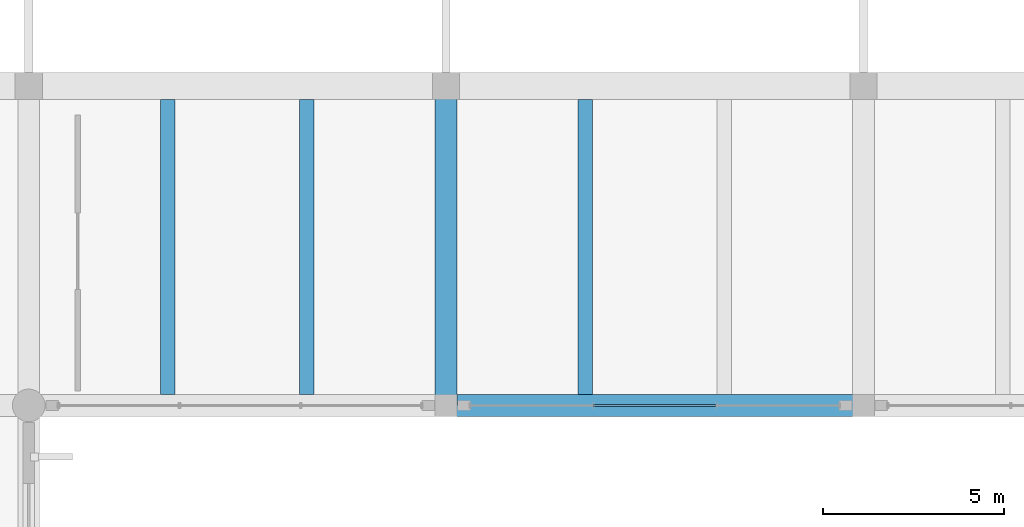
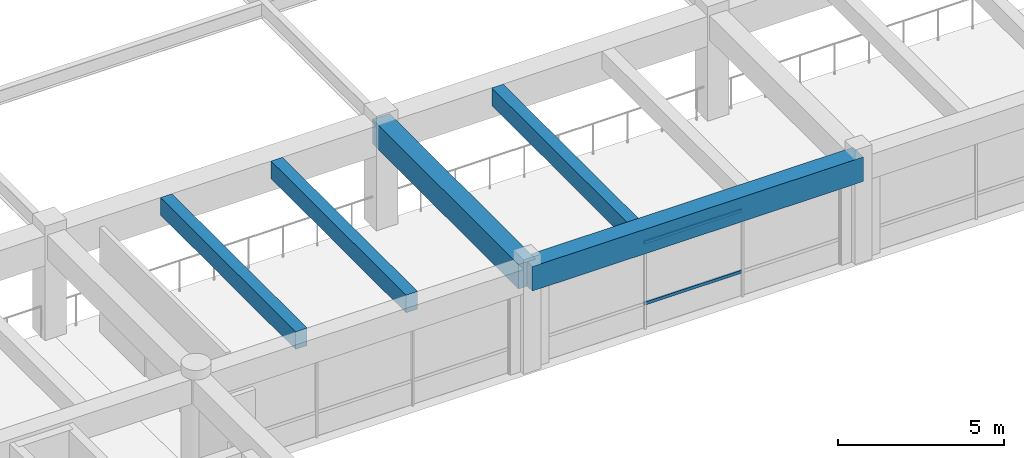
# One storey, part 46 of 98: 5 beams, 2 members, 1 element without a shape of its own.
"""IFC4 building model written with IfcOpenShell, lengths in metres."""

import ifcopenshell
import ifcopenshell.guid

model = None  # the IFC model being written
_history = None  # IfcOwnerHistory: only IFC2X3 demands one
_inside = {}  # id of a spatial element -> (the spatial element, [elements in it])
_under = {}  # id of a project, library or spatial element -> (it, [spatial elements below it])
_declared = {}  # id of a project -> (the project, [libraries it declares])
_typed = {}  # id of a type object -> (the type object, [elements of that type])
_made_of = {}  # id of a material, layer set ... -> (it, [elements and type objects made of it])


def new_model(schema):
    """Start an empty IFC model of exactly this schema.

    Asked for "IFC4X3", IfcOpenShell would pick the latest addendum, in which some entities
    have other attributes; the version numbers below select the first issue.
    IFC2X3 requires an IfcOwnerHistory on every rooted entity: one is made here for all.
    """
    global model, _history
    if schema == "IFC4X3":
        model = ifcopenshell.file(schema_version=(4, 3, 0, 0))
    else:
        model = ifcopenshell.file(schema=schema)
    _inside.clear()
    _under.clear()
    _declared.clear()
    _typed.clear()
    _made_of.clear()
    _history = None
    if model.schema == "IFC2X3":
        org = make("IfcOrganization", Name="unknown")
        user = make(
            "IfcPersonAndOrganization",
            ThePerson=make("IfcPerson", FamilyName="unknown"),
            TheOrganization=org,
        )
        app = make(
            "IfcApplication",
            ApplicationDeveloper=org,
            Version="unknown",
            ApplicationFullName="unknown",
            ApplicationIdentifier="unknown",
        )
        _history = make(
            "IfcOwnerHistory",
            OwningUser=user,
            OwningApplication=app,
            ChangeAction="ADDED",
            CreationDate=0,
        )
    return model


def make(cls, **values):
    """One entity of the class cls with the attributes given. An attribute that is None is left unset."""
    return model.create_entity(
        cls, **{name: value for name, value in values.items() if value is not None}
    )


def rooted(cls, **values):
    """An entity with a GlobalId (a new one), such as an element, a storey or a relation."""
    return make(cls, GlobalId=ifcopenshell.guid.new(), OwnerHistory=_history, **values)


def si_unit(unit_type, name, prefix=None):
    """IfcSIUnit, for example si_unit("LENGTHUNIT", "METRE", prefix="MILLI")."""
    return make("IfcSIUnit", UnitType=unit_type, Prefix=prefix, Name=name)


def assignment(units):
    """IfcUnitAssignment: the units of a project."""
    return None if units is None else make("IfcUnitAssignment", Units=units)


def point(xyz):
    """IfcCartesianPoint."""
    return None if xyz is None else make("IfcCartesianPoint", Coordinates=xyz)


def direction(xyz):
    """IfcDirection."""
    return None if xyz is None else make("IfcDirection", DirectionRatios=xyz)


def frame(location, z_axis=None, x_axis=None):
    """IfcAxis2Placement3D, a coordinate frame: its origin and axes. An axis left out is left unset."""
    return make(
        "IfcAxis2Placement3D",
        Location=point(location),
        Axis=direction(z_axis),
        RefDirection=direction(x_axis),
    )


def frame_2d(location, x_axis=None):
    """IfcAxis2Placement2D, a coordinate frame in the plane: its origin and x axis."""
    return make(
        "IfcAxis2Placement2D", Location=point(location), RefDirection=direction(x_axis)
    )


def origin():
    """The frame at (0, 0, 0) with its axes left unset."""
    return frame((0.0, 0.0, 0.0))


def origin_2d():
    """The frame at (0, 0) in the plane with its x axis left unset."""
    return frame_2d((0.0, 0.0))


def place(relative_to, where):
    """IfcLocalPlacement: puts the frame where relative to a parent placement (None: the world)."""
    return make(
        "IfcLocalPlacement", PlacementRelTo=relative_to, RelativePlacement=where
    )


def context(
    kind, dimensions, precision=None, world=None, true_north=None, identifier=None
):
    """IfcGeometricRepresentationContext, for example the 3D "Model" context."""
    return make(
        "IfcGeometricRepresentationContext",
        ContextIdentifier=identifier,
        ContextType=kind,
        CoordinateSpaceDimension=dimensions,
        Precision=precision,
        WorldCoordinateSystem=world,
        TrueNorth=true_north,
    )


def subcontext(parent, identifier, kind, view, scale=None):
    """IfcGeometricRepresentationSubContext, for example "Body" below "Model"."""
    return make(
        "IfcGeometricRepresentationSubContext",
        ContextIdentifier=identifier,
        ContextType=kind,
        ParentContext=parent,
        TargetScale=scale,
        TargetView=view,
    )


def project(units=None, contexts=None):
    """IfcProject with its units and contexts."""
    return rooted(
        "IfcProject",
        Name="project",
        RepresentationContexts=contexts,
        UnitsInContext=assignment(units),
    )


def spatial(cls, under=None, at=None, **own):
    """A site, building, storey or space (cls), placed at a placement, below another one or the project."""
    s = rooted(cls, ObjectPlacement=at, **own)
    if under is not None:
        _under.setdefault(under.id(), (under, []))[1].append(s)
    return s


def profile(cls, at=None, kind="AREA", **sizes):
    """A parametric profile (cls). Its sizes go by their IFC names, for example OverallWidth=200.0."""
    return make(cls, ProfileType=kind, Position=at, **sizes)


def rectangle(**sizes):
    """IfcRectangleProfileDef."""
    return profile("IfcRectangleProfileDef", **sizes)


def hollow_rectangle(**sizes):
    """IfcRectangleHollowProfileDef."""
    return profile("IfcRectangleHollowProfileDef", **sizes)


def extrude(swept, where, along, depth):
    """IfcExtrudedAreaSolid: the profile swept, set in the frame where, extruded along a direction by depth."""
    return make(
        "IfcExtrudedAreaSolid",
        SweptArea=swept,
        Position=where,
        ExtrudedDirection=direction(along),
        Depth=depth,
    )


def shape(context_of_items, identifier, shape_type, items):
    """IfcShapeRepresentation: the items that make up one representation, for example the "Body"."""
    return make(
        "IfcShapeRepresentation",
        ContextOfItems=context_of_items,
        RepresentationIdentifier=identifier,
        RepresentationType=shape_type,
        Items=items,
    )


def material(Name=None, Category=None):
    """IfcMaterial."""
    return make("IfcMaterial", Name=Name, Category=Category)


def material_profile(
    of_material, cross_section, Name=None, Category=None, Priority=None
):
    """IfcMaterialProfile: a cross section and its material."""
    return make(
        "IfcMaterialProfile",
        Name=Name,
        Material=of_material,
        Profile=cross_section,
        Priority=Priority,
        Category=Category,
    )


def profile_set(profiles, Name=None, composite=None):
    """IfcMaterialProfileSet."""
    return make(
        "IfcMaterialProfileSet",
        Name=Name,
        MaterialProfiles=profiles,
        CompositeProfile=composite,
    )


def made_of(thing, what):
    """Note that an element or type object is made of a material, layer set ...; save() writes the relation."""
    if what is not None:
        _made_of.setdefault(what.id(), (what, []))[1].append(thing)
    return thing


def type_object(cls, material=None, **own):
    """A type object (cls), such as IfcWallType, which elements share."""
    return made_of(rooted(cls, **own), material)


def element(
    cls,
    number,
    at=None,
    inside=None,
    cuts=None,
    type_object=None,
    material=None,
    context=None,
    identifier="Body",
    shape_type=None,
    held_by="IfcProductDefinitionShape",
    body=None,
    shapes=None,
    **own,
):
    """One element of the class cls, such as IfcWall. Its Tag is "e" and its number.

    at: its placement. inside: the storey or other place that contains it. cuts: it is an
    opening in that element (IfcRelVoidsElement). A single representation is given by context,
    identifier, shape_type and body (its items); several are given by shapes. held_by: the class
    of the entity that holds the representations. save() writes the other relations.
    """
    e = rooted(cls, Tag="e%d" % number, ObjectPlacement=at, **own)
    if body is not None:
        shapes = [shape(context, identifier, shape_type, body)]
    if shapes is not None:
        e.Representation = make(held_by, Representations=shapes)
    if inside is not None:
        _inside.setdefault(inside.id(), (inside, []))[1].append(e)
    if cuts is not None:
        rooted(
            "IfcRelVoidsElement", RelatingBuildingElement=cuts, RelatedOpeningElement=e
        )
    if type_object is not None:
        _typed.setdefault(type_object.id(), (type_object, []))[1].append(e)
    return made_of(e, material)


def aggregate(whole, parts):
    """IfcRelAggregates: a whole, such as a stair, and the parts it consists of."""
    return rooted("IfcRelAggregates", RelatingObject=whole, RelatedObjects=parts)


def save(model, path):
    """Write the relations noted so far, then the file.

    IfcRelAggregates (storeys below a building ...), IfcRelContainedInSpatialStructure (elements
    in a storey), IfcRelDefinesByType, IfcRelAssociatesMaterial and IfcRelDeclares: one each for
    every whole, place, type object, material and project.
    """
    for whole, parts in _under.values():
        aggregate(whole, parts)
    for where, things in _inside.values():
        rooted(
            "IfcRelContainedInSpatialStructure",
            RelatedElements=things,
            RelatingStructure=where,
        )
    for kind, things in _typed.values():
        rooted("IfcRelDefinesByType", RelatedObjects=things, RelatingType=kind)
    for what, things in _made_of.values():
        rooted("IfcRelAssociatesMaterial", RelatedObjects=things, RelatingMaterial=what)
    for by, libraries in _declared.values():
        rooted("IfcRelDeclares", RelatingContext=by, RelatedDefinitions=libraries)
    model.write(path)


model = new_model("IFC4")

# Units and contexts
model_context = context("Model", 3, precision=1e-05, world=origin(), true_north=direction((0.0, 1.0)))
body_context = subcontext(model_context, "Body", "Model", "MODEL_VIEW")
ifc_project = project(units=[si_unit("LENGTHUNIT", "METRE"), si_unit("AREAUNIT", "SQUARE_METRE"), si_unit("VOLUMEUNIT", "CUBIC_METRE"), si_unit("PLANEANGLEUNIT", "RADIAN"), si_unit("MASSUNIT", "GRAM", prefix="KILO")], contexts=[model_context])

# Site, building, storey
site_placement = place(None, origin())
site = spatial("IfcSite", under=ifc_project, at=site_placement, CompositionType="ELEMENT")
building_placement = place(site_placement, origin())
building = spatial("IfcBuilding", under=site, at=building_placement, Name="Ologun Quay Terminus", CompositionType="ELEMENT")
storey_placement = place(building_placement, frame((0.0, 0.0, 4.199951171875)))
storey = spatial("IfcBuildingStorey", under=building, at=storey_placement, Name="L01", CompositionType="ELEMENT", Elevation=4.199951171875)

# Curtain wall, members
ifc_material_1 = material(Name="Aluminium 6063-T6", Category="aluminium")
curtain_wall_type = type_object("IfcCurtainWallType", Name="Forecourt Mezzanine Curtain Wall 10700x3850", PredefinedType="USERDEFINED", material=ifc_material_1)
curtain_wall_placement = place(storey_placement, origin())
curtain_wall = element("IfcCurtainWall", 1, at=curtain_wall_placement, inside=storey, type_object=curtain_wall_type, Name="CW-04 Curtain Wall CW-L01-017", ObjectType="UNITISED CURTAIN WALL", PredefinedType="USERDEFINED")
ifc_material_2 = material(Name="Aluminium 6063-T6", Category="aluminium")
ifc_material_profile_1 = material_profile(ifc_material_2, hollow_rectangle(XDim=0.054931640625, YDim=0.110107421875, WallThickness=0.00390625, at=origin_2d()), Name="ALU 110x55x4")
ifc_profile_set_1 = profile_set([ifc_material_profile_1], Name="Aluminium 6063-T6")
member_type = type_object("IfcMemberType", Name="Curtain Wall Standard Transom 110x55", PredefinedType="USERDEFINED", material=ifc_profile_set_1)
member_1_placement = place(storey_placement, frame((142.056640625, 27.199951171875, 0.900146484375), z_axis=(1.0, 0.0, 0.0), x_axis=(0.0, 1.0, 0.0)))
member_1 = element("IfcMember", 2, at=member_1_placement, type_object=member_type, Name="CW-L01-017 Transom B2-1", ObjectType="TRANSOM", PredefinedType="USERDEFINED", context=body_context, shape_type="SweptSolid", body=[
    extrude(hollow_rectangle(XDim=0.054931640625, YDim=0.110107421875, WallThickness=0.00390625, at=origin_2d()), origin(), (0.0, 0.0, 1.0), 3.38671875),
])
member_2_placement = place(storey_placement, frame((142.056640625, 27.199951171875, 3.14013671875), z_axis=(1.0, 0.0, 0.0), x_axis=(0.0, 1.0, 0.0)))
member_2 = element("IfcMember", 3, at=member_2_placement, type_object=member_type, Name="CW-L01-017 Transom B2-2", ObjectType="TRANSOM", PredefinedType="USERDEFINED", context=body_context, shape_type="SweptSolid", body=[
    extrude(hollow_rectangle(XDim=0.054931640625, YDim=0.110107421875, WallThickness=0.00390625, at=origin_2d()), origin(), (0.0, 0.0, 1.0), 3.38671875),
])
aggregate(curtain_wall, [member_1, member_2])

# Beams
ifc_material_3 = material(Name="Concrete C40/50", Category="concrete")
ifc_material_profile_2 = material_profile(ifc_material_3, rectangle(XDim=0.60009765625, YDim=0.89990234375, at=origin_2d()), Name="RC 600x900")
ifc_profile_set_2 = profile_set([ifc_material_profile_2], Name="Concrete C40/50")
beam_type_1 = type_object("IfcBeamType", Name="Station Frame Girder 600x900", PredefinedType="BEAM", material=ifc_profile_set_2)
beam_1_placement = place(storey_placement, frame((138.0, 27.199951171875, 3.400146484375), z_axis=(1.0, 0.0, 0.0), x_axis=(0.0, 1.0, 0.0)))
element("IfcBeam", 4, at=beam_1_placement, inside=storey, type_object=beam_type_1, Name="B3 Beam 13/D L01", PredefinedType="BEAM", context=body_context, shape_type="SweptSolid", body=[
    extrude(rectangle(XDim=0.60009765625, YDim=0.89990234375, at=origin_2d()), origin(), (0.0, 0.0, 1.0), 11.5),
])
beam_2_placement = place(storey_placement, frame((138.0, 27.199951171875, 3.400146484375), z_axis=(0.0, 1.0, 0.0), x_axis=(-1.0, 0.0, 0.0)))
element("IfcBeam", 5, at=beam_2_placement, inside=storey, type_object=beam_type_1, Name="B3 Beam 13/D L01", PredefinedType="BEAM", context=body_context, shape_type="SweptSolid", body=[
    extrude(rectangle(XDim=0.60009765625, YDim=0.89990234375, at=origin_2d()), origin(), (0.0, 0.0, 1.0), 8.800048828125),
])
ifc_material_4 = material(Name="Concrete C40/50", Category="concrete")
ifc_material_profile_3 = material_profile(ifc_material_4, rectangle(XDim=0.39990234375, YDim=0.64990234375, at=origin_2d()), Name="RC 400x650")
ifc_profile_set_3 = profile_set([ifc_material_profile_3], Name="Concrete C40/50")
beam_type_2 = type_object("IfcBeamType", Name="Station Secondary Joist 400x650", PredefinedType="JOIST", material=ifc_profile_set_3)
for number, where, z_axis, x_axis, name in (
    (6, (130.333251953125, 27.5, 3.525146484375), (0.0, 1.0, 0.0), (-1.0, 0.0, 0.0), "J1 Beam 12/D L01"),
    (7, (134.166748046875, 27.5, 3.525146484375), (0.0, 1.0, 0.0), (-1.0, 0.0, 0.0), "J1 Beam 12/D L01"),
    (8, (141.833251953125, 27.5, 3.525146484375), (0.0, 1.0, 0.0), (-1.0, 0.0, 0.0), "J1 Beam 13/D L01"),
):
    element("IfcBeam", number, at=place(storey_placement, frame(where, z_axis=z_axis, x_axis=x_axis)), inside=storey, type_object=beam_type_2, Name=name, PredefinedType="JOIST", context=body_context, shape_type="SweptSolid", body=[
        extrude(rectangle(XDim=0.39990234375, YDim=0.64990234375, at=origin_2d()), origin(), (0.0, 0.0, 1.0), 8.125),
    ])

save(model, "model.ifc")
